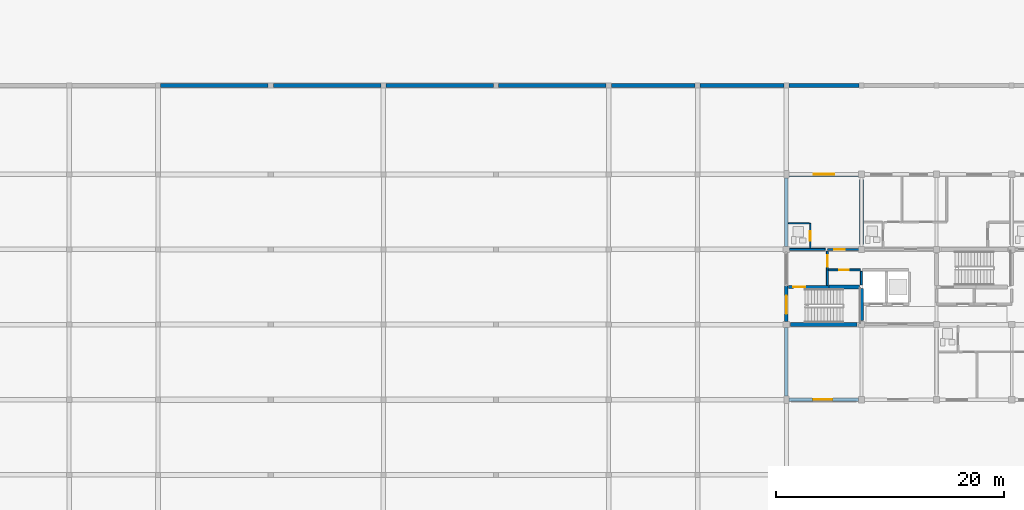
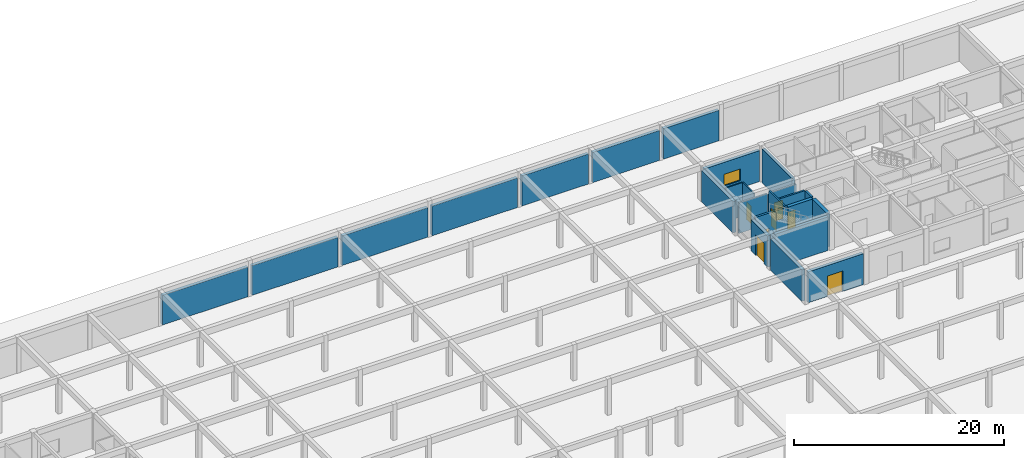
# One storey, part 57 of 75: 24 walls, 7 doors, 1 window, 8 openings.
"""IFC4 building model written with IfcOpenShell, lengths in metres."""

from ifc_helpers import new_model, si_unit, direction, frame, frame_2d, origin, place, context, subcontext, project, spatial, rectangle, extrude, material, layer, layer_set, type_object, element, fill, save


model = new_model("IFC4")

# Units and contexts
model_context = context("Model", 3, precision=1e-05, world=origin(), true_north=direction((0.0, 1.0)))
body_context = subcontext(model_context, "Body", "Model", "MODEL_VIEW")
ifc_project = project(units=[si_unit("LENGTHUNIT", "METRE"), si_unit("AREAUNIT", "SQUARE_METRE"), si_unit("VOLUMEUNIT", "CUBIC_METRE"), si_unit("PLANEANGLEUNIT", "RADIAN"), si_unit("MASSUNIT", "GRAM", prefix="KILO")], contexts=[model_context])

# Site, building, storey
site_placement = place(None, origin())
site = spatial("IfcSite", under=ifc_project, at=site_placement, CompositionType="ELEMENT")
building_placement = place(site_placement, origin())
building = spatial("IfcBuilding", under=site, at=building_placement, Name="Kernevlak Ridge Housing Community", CompositionType="ELEMENT")
storey_placement = place(building_placement, origin())
storey = spatial("IfcBuildingStorey", under=building, at=storey_placement, Name="L00", CompositionType="ELEMENT", Elevation=0.0)

# Wall, opening, door
ifc_material_1 = material(Name="Concrete block masonry M10", Category="masonry")
ifc_layer_1 = layer(ifc_material_1, 0.340087890625, Name="Concrete block masonry M10")
ifc_layer_set_1 = layer_set([ifc_layer_1], Name="Concrete block masonry M10")
wall_type_1 = type_object("IfcWallType", Name="EW-04", PredefinedType="STANDARD", material=ifc_layer_set_1)
wall_1_placement = place(storey_placement, frame((119.625, 82.60009765625, 0.0), z_axis=(0.0, 0.0, 1.0), x_axis=(1.0, 0.0, 0.0)))
wall_1 = element("IfcWall", 1, at=wall_1_placement, inside=storey, type_object=wall_type_1, Name="Exterior wall EW-04 L00 295", PredefinedType="STANDARD", context=body_context, shape_type="SweptSolid", body=[
    extrude(rectangle(XDim=6.10009765625, YDim=0.340087890625, at=frame_2d((3.050048828125, 0.0))), origin(), (0.0, 0.0, 1.0), 3.60009765625),
])
opening_1_placement = place(wall_1_placement, frame((2.125, 0.0, 0.0)))
opening_1 = element("IfcOpeningElement", 2, at=opening_1_placement, cuts=wall_1, Name="Opening D594", PredefinedType="OPENING", context=body_context, shape_type="SweptSolid", body=[
    extrude(rectangle(XDim=1.699951171875, YDim=2.3798828125, at=frame_2d((0.85009765625, 1.18994140625))), frame((0.0, 0.179931640625, 0.0), z_axis=(0.0, -1.0, 0.0), x_axis=(1.0, 0.0, 0.0)), (0.0, 0.0, 1.0), 0.360107421875),
])
ifc_material_2 = material(Name="Aluminium EN AW-6060 and laminated safety glass", Category="aluminium")
door_type_1 = type_object("IfcDoorType", Name="DT-35", OperationType="DOUBLE_DOOR_SINGLE_SWING", PredefinedType="DOOR", material=ifc_material_2)
door_1_placement = place(opening_1_placement, origin())
door_1 = element("IfcDoor", 3, at=door_1_placement, inside=storey, type_object=door_type_1, Name="Block B Main pedestrian entrance exit D594", OperationType="DOUBLE_DOOR_SINGLE_SWING", OverallHeight=2.3798828125, OverallWidth=1.699951171875, PredefinedType="DOOR", context=body_context, shape_type="SweptSolid", body=[
    extrude(rectangle(XDim=1.699951171875, YDim=2.3798828125, at=frame_2d((0.85009765625, 1.18994140625))), frame((0.0, 0.02490234375, 0.0), z_axis=(0.0, -1.0, 0.0), x_axis=(1.0, 0.0, 0.0)), (0.0, 0.0, 1.0), 0.050048828125),
])
fill(opening_1, door_1)

# Wall, opening, window
wall_2_placement = place(storey_placement, frame((119.625, 102.39990234375, 0.0), z_axis=(0.0, 0.0, 1.0), x_axis=(1.0, 0.0, 0.0)))
wall_2 = element("IfcWall", 4, at=wall_2_placement, inside=storey, type_object=wall_type_1, Name="Exterior wall EW-04 L00 300", PredefinedType="STANDARD", context=body_context, shape_type="SweptSolid", body=[
    extrude(rectangle(XDim=6.10009765625, YDim=0.340087890625, at=frame_2d((3.050048828125, 0.0))), origin(), (0.0, 0.0, 1.0), 3.60009765625),
])
opening_2_placement = place(wall_2_placement, frame((2.175048828125, 0.0, 0.85009765625)))
opening_2 = element("IfcOpeningElement", 5, at=opening_2_placement, cuts=wall_2, Name="Opening WT-03", PredefinedType="OPENING", context=body_context, shape_type="SweptSolid", body=[
    extrude(rectangle(XDim=1.800048828125, YDim=1.35009765625, at=frame_2d((0.89990234375, 0.675048828125))), frame((0.0, 0.179931640625, 0.0), z_axis=(0.0, -1.0, 0.0), x_axis=(1.0, 0.0, 0.0)), (0.0, 0.0, 1.0), 0.360107421875),
])
ifc_material_3 = material(Name="Aluminium EN AW-6060 anodised and laminated glass", Category="aluminium")
window_type = type_object("IfcWindowType", Name="WT-03", PartitioningType="SINGLE_PANEL", PredefinedType="WINDOW", material=ifc_material_3)
window_placement = place(opening_2_placement, origin())
window = element("IfcWindow", 6, at=window_placement, inside=storey, type_object=window_type, Name="Window WT-03 L00 230", OverallHeight=1.35009765625, OverallWidth=1.800048828125, PartitioningType="SINGLE_PANEL", PredefinedType="WINDOW", context=body_context, shape_type="SweptSolid", body=[
    extrude(rectangle(XDim=1.800048828125, YDim=1.35009765625, at=frame_2d((0.89990234375, 0.675048828125))), frame((0.0, 0.030029296875, 0.0), z_axis=(0.0, -1.0, 0.0), x_axis=(1.0, 0.0, 0.0)), (0.0, 0.0, 1.0), 0.06005859375),
])
fill(opening_2, window)

# Walls
for number, where, z_axis, x_axis, name in (
    (7, (119.39990234375, 82.925048828125, 0.0), (0.0, 0.0, 1.0), (0.0, 1.0, 0.0), "Exterior wall EW-04 L00 305"),
    (8, (119.39990234375, 96.074951171875, 0.0), (0.0, 0.0, 1.0), (0.0, 1.0, 0.0), "Exterior wall EW-04 L00 306"),
):
    element("IfcWall", number, at=place(storey_placement, frame(where, z_axis=z_axis, x_axis=x_axis)), inside=storey, type_object=wall_type_1, Name=name, PredefinedType="STANDARD", context=body_context, shape_type="SweptSolid", body=[
        extrude(rectangle(XDim=6.0, YDim=0.340087890625, at=frame_2d((3.0, 0.0))), origin(), (0.0, 0.0, 1.0), 3.64990234375),
    ])
for number, where, z_axis, x_axis, name in (
    (9, (64.425048828125, 110.199951171875, 0.0), (0.0, 0.0, 1.0), (1.0, 0.0, 0.0), "Exterior wall EW-04 L00 876"),
    (10, (74.324951171875, 110.199951171875, 0.0), (0.0, 0.0, 1.0), (1.0, 0.0, 0.0), "Exterior wall EW-04 L00 877"),
    (11, (84.22509765625, 110.199951171875, 0.0), (0.0, 0.0, 1.0), (1.0, 0.0, 0.0), "Exterior wall EW-04 L00 878"),
    (12, (94.125, 110.199951171875, 0.0), (0.0, 0.0, 1.0), (1.0, 0.0, 0.0), "Exterior wall EW-04 L00 879"),
):
    element("IfcWall", number, at=place(storey_placement, frame(where, z_axis=z_axis, x_axis=x_axis)), inside=storey, type_object=wall_type_1, Name=name, PredefinedType="STANDARD", context=body_context, shape_type="SweptSolid", body=[
        extrude(rectangle(XDim=9.449951171875, YDim=0.340087890625, at=frame_2d((4.72509765625, 0.0))), origin(), (0.0, 0.0, 1.0), 3.449951171875),
    ])
for number, where, z_axis, x_axis, name in (
    (13, (104.02490234375, 110.199951171875, 0.0), (0.0, 0.0, 1.0), (1.0, 0.0, 0.0), "Exterior wall EW-04 L00 880"),
    (14, (111.824951171875, 110.199951171875, 0.0), (0.0, 0.0, 1.0), (1.0, 0.0, 0.0), "Exterior wall EW-04 L00 881"),
):
    element("IfcWall", number, at=place(storey_placement, frame(where, z_axis=z_axis, x_axis=x_axis)), inside=storey, type_object=wall_type_1, Name=name, PredefinedType="STANDARD", context=body_context, shape_type="SweptSolid", body=[
        extrude(rectangle(XDim=7.35009765625, YDim=0.340087890625, at=frame_2d((3.675048828125, 0.0))), origin(), (0.0, 0.0, 1.0), 3.5),
    ])
wall_3_placement = place(storey_placement, frame((119.625, 110.199951171875, 0.0), z_axis=(0.0, 0.0, 1.0), x_axis=(1.0, 0.0, 0.0)))
element("IfcWall", 15, at=wall_3_placement, inside=storey, type_object=wall_type_1, Name="Exterior wall EW-04 L00 882", PredefinedType="STANDARD", context=body_context, shape_type="SweptSolid", body=[
    extrude(rectangle(XDim=6.14990234375, YDim=0.340087890625, at=frame_2d((3.074951171875, 0.0))), origin(), (0.0, 0.0, 1.0), 3.550048828125),
])

# Wall, opening, door
wall_4_placement = place(storey_placement, frame((119.39990234375, 89.47509765625, 0.0), z_axis=(0.0, 0.0, 1.0), x_axis=(0.0, 1.0, 0.0)))
wall_4 = element("IfcWall", 16, at=wall_4_placement, inside=storey, type_object=wall_type_1, Name="Exterior wall EW-04 L00 930", PredefinedType="STANDARD", context=body_context, shape_type="SweptSolid", body=[
    extrude(rectangle(XDim=3.135009765625, YDim=0.340087890625, at=frame_2d((1.5673828125, 0.0))), origin(), (0.0, 0.0, 1.0), 3.64990234375),
])
opening_3_placement = place(wall_4_placement, frame((0.675048828125, 0.0, 0.0)))
opening_3 = element("IfcOpeningElement", 17, at=opening_3_placement, cuts=wall_4, Name="Opening E829", PredefinedType="OPENING", context=body_context, shape_type="SweptSolid", body=[
    extrude(rectangle(XDim=1.60009765625, YDim=2.39990234375, at=frame_2d((0.800048828125, 1.199951171875))), frame((0.0, 0.179931640625, 0.0), z_axis=(0.0, -1.0, 0.0), x_axis=(1.0, 0.0, 0.0)), (0.0, 0.0, 1.0), 0.360107421875),
])
door_type_2 = type_object("IfcDoorType", Name="DT-13", OperationType="DOUBLE_DOOR_SINGLE_SWING", PredefinedType="DOOR", material=ifc_material_2)
door_2_placement = place(opening_3_placement, origin())
door_2 = element("IfcDoor", 18, at=door_2_placement, inside=storey, type_object=door_type_2, Name="Block B Stair 1 exit discharge door E829", OperationType="DOUBLE_DOOR_SINGLE_SWING", OverallHeight=2.39990234375, OverallWidth=1.60009765625, PredefinedType="DOOR", context=body_context, shape_type="SweptSolid", body=[
    extrude(rectangle(XDim=1.60009765625, YDim=2.39990234375, at=frame_2d((0.800048828125, 1.199951171875))), frame((0.0, 0.02490234375, 0.0), z_axis=(0.0, -1.0, 0.0), x_axis=(1.0, 0.0, 0.0)), (0.0, 0.0, 1.0), 0.050048828125),
])
fill(opening_3, door_2)

ifc_material_4 = material(Name="Concrete C35/45", Category="concrete")
ifc_layer_2 = layer(ifc_material_4, 0.22509765625, Name="Concrete C35/45")
ifc_layer_set_2 = layer_set([ifc_layer_2], Name="Concrete C35/45")
wall_type_2 = type_object("IfcWallType", Name="PW-01", PredefinedType="STANDARD", material=ifc_layer_set_2)
wall_5_placement = place(storey_placement, frame((119.580078125, 92.5, 0.0), z_axis=(0.0, 0.0, 1.0), x_axis=(1.0, 0.0, 0.0)))
wall_5 = element("IfcWall", 19, at=wall_5_placement, inside=storey, type_object=wall_type_2, Name="Interior wall PW-01 WAL-INT-L00-1157", PredefinedType="STANDARD", context=body_context, shape_type="SweptSolid", body=[
    extrude(rectangle(XDim=3.56982421875, YDim=0.22509765625, at=frame_2d((1.784912109375, 0.0))), origin(), (0.0, 0.0, 1.0), 3.919921875),
])
opening_4_placement = place(wall_5_placement, frame((0.449951171875, 0.0, 0.0)))
opening_4 = element("IfcOpeningElement", 20, at=opening_4_placement, cuts=wall_5, Name="Opening D585", PredefinedType="OPENING", context=body_context, shape_type="SweptSolid", body=[
    extrude(rectangle(XDim=1.0400390625, YDim=2.1201171875, at=frame_2d((0.52001953125, 1.06005859375))), frame((0.0, 0.12255859375, 0.0), z_axis=(0.0, -1.0, 0.0), x_axis=(1.0, 0.0, 0.0)), (0.0, 0.0, 1.0), 0.2451171875),
])
ifc_material_5 = material(Name="Fire-rated sheet steel leaf", Category="steel")
door_type_3 = type_object("IfcDoorType", Name="DT-16", OperationType="NOTDEFINED", PredefinedType="DOOR", material=ifc_material_5)
door_3_placement = place(opening_4_placement, origin())
door_3 = element("IfcDoor", 21, at=door_3_placement, inside=storey, type_object=door_type_3, Name="Block B Stair 1 fire door D585", OperationType="SINGLE_SWING_LEFT", OverallHeight=2.1201171875, OverallWidth=1.0400390625, PredefinedType="DOOR", context=body_context, shape_type="SweptSolid", body=[
    extrude(rectangle(XDim=1.0400390625, YDim=2.1201171875, at=frame_2d((0.52001953125, 1.06005859375))), frame((0.0, 0.02490234375, 0.0), z_axis=(0.0, -1.0, 0.0), x_axis=(1.0, 0.0, 0.0)), (0.0, 0.0, 1.0), 0.050048828125),
])
fill(opening_4, door_3)

ifc_layer_3 = layer(ifc_material_1, 0.175048828125, Name="Concrete block masonry M10")
ifc_layer_set_3 = layer_set([ifc_layer_3], Name="Concrete block masonry M10")
wall_type_3 = type_object("IfcWallType", Name="PW-02", PredefinedType="PARTITIONING", material=ifc_layer_set_3)
wall_6_placement = place(storey_placement, frame((123.0, 92.64990234375, 0.0), z_axis=(0.0, 0.0, 1.0), x_axis=(0.0, 1.0, 0.0)))
wall_6 = element("IfcWall", 22, at=wall_6_placement, inside=storey, type_object=wall_type_3, Name="Interior wall PW-02 WAL-INT-L00-1158", PredefinedType="PARTITIONING", context=body_context, shape_type="SweptSolid", body=[
    extrude(rectangle(XDim=3.0, YDim=0.175048828125, at=frame_2d((1.5, 0.0))), origin(), (0.0, 0.0, 1.0), 3.919921875),
])
opening_5_placement = place(wall_6_placement, frame((1.64990234375, 0.0, 0.0)))
opening_5 = element("IfcOpeningElement", 23, at=opening_5_placement, cuts=wall_6, Name="Opening D586", PredefinedType="OPENING", context=body_context, shape_type="SweptSolid", body=[
    extrude(rectangle(XDim=1.0, YDim=2.10009765625, at=frame_2d((0.5, 1.050048828125))), frame((0.0, 0.097412109375, 0.0), z_axis=(0.0, -1.0, 0.0), x_axis=(1.0, 0.0, 0.0)), (0.0, 0.0, 1.0), 0.195068359375),
])
door_type_4 = type_object("IfcDoorType", Name="DT-05", OperationType="NOTDEFINED", PredefinedType="DOOR", material=ifc_material_5)
door_4_placement = place(opening_5_placement, origin())
door_4 = element("IfcDoor", 24, at=door_4_placement, inside=storey, type_object=door_type_4, Name="Block B Firefighting lobby 1 door D586", OperationType="SINGLE_SWING_RIGHT", OverallHeight=2.10009765625, OverallWidth=1.0, PredefinedType="DOOR", context=body_context, shape_type="SweptSolid", body=[
    extrude(rectangle(XDim=1.0, YDim=2.10009765625, at=frame_2d((0.5, 1.050048828125))), frame((0.0, 0.02490234375, 0.0), z_axis=(0.0, -1.0, 0.0), x_axis=(1.0, 0.0, 0.0)), (0.0, 0.0, 1.0), 0.050048828125),
])
fill(opening_5, door_4)

wall_7_placement = place(storey_placement, frame((123.10009765625, 94.0, 0.0), z_axis=(0.0, 0.0, 1.0), x_axis=(1.0, 0.0, 0.0)))
wall_7 = element("IfcWall", 25, at=wall_7_placement, inside=storey, type_object=wall_type_3, Name="Interior wall PW-02 WAL-INT-L00-1159", PredefinedType="PARTITIONING", context=body_context, shape_type="SweptSolid", body=[
    extrude(rectangle(XDim=2.7998046875, YDim=0.175048828125, at=frame_2d((1.39990234375, 0.0))), origin(), (0.0, 0.0, 1.0), 3.919921875),
])
opening_6_placement = place(wall_7_placement, frame((0.949951171875, 0.0, 0.0)))
opening_6 = element("IfcOpeningElement", 26, at=opening_6_placement, cuts=wall_7, Name="Opening D587", PredefinedType="OPENING", context=body_context, shape_type="SweptSolid", body=[
    extrude(rectangle(XDim=0.85009765625, YDim=2.0, at=frame_2d((0.425048828125, 1.0))), frame((0.0, 0.097412109375, 0.0), z_axis=(0.0, -1.0, 0.0), x_axis=(1.0, 0.0, 0.0)), (0.0, 0.0, 1.0), 0.195068359375),
])
door_type_5 = type_object("IfcDoorType", Name="DT-07", OperationType="NOTDEFINED", PredefinedType="DOOR", material=ifc_material_5)
door_5_placement = place(opening_6_placement, origin())
door_5 = element("IfcDoor", 27, at=door_5_placement, inside=storey, type_object=door_type_5, Name="Block B Riser shaft door D587", OperationType="SINGLE_SWING_LEFT", OverallHeight=2.0, OverallWidth=0.85009765625, PredefinedType="DOOR", context=body_context, shape_type="SweptSolid", body=[
    extrude(rectangle(XDim=0.85009765625, YDim=2.0, at=frame_2d((0.425048828125, 1.0))), frame((0.0, 0.02490234375, 0.0), z_axis=(0.0, -1.0, 0.0), x_axis=(1.0, 0.0, 0.0)), (0.0, 0.0, 1.0), 0.050048828125),
])
fill(opening_6, door_5)

# Walls
wall_8_placement = place(storey_placement, frame((126.0, 92.679931640625, 0.0), z_axis=(0.0, 0.0, 1.0), x_axis=(0.0, 1.0, 0.0)))
element("IfcWall", 28, at=wall_8_placement, inside=storey, type_object=wall_type_3, Name="Interior wall PW-02 WAL-INT-L00-1160", PredefinedType="PARTITIONING", context=body_context, shape_type="SweptSolid", body=[
    extrude(rectangle(XDim=1.190185546875, YDim=0.175048828125, at=frame_2d((0.59521484375, 0.0))), origin(), (0.0, 0.0, 1.0), 3.919921875),
])
wall_9_placement = place(storey_placement, frame((119.679931640625, 95.800048828125, 0.0), z_axis=(0.0, 0.0, 1.0), x_axis=(1.0, 0.0, 0.0)))
element("IfcWall", 29, at=wall_9_placement, inside=storey, type_object=wall_type_3, Name="Interior wall PW-02 WAL-INT-L00-1188", PredefinedType="PARTITIONING", context=body_context, shape_type="SweptSolid", body=[
    extrude(rectangle(XDim=3.14013671875, YDim=0.175048828125, at=frame_2d((1.570068359375, 0.0))), origin(), (0.0, 0.0, 1.0), 3.550048828125),
])

# Wall, opening, door
wall_10_placement = place(storey_placement, frame((123.0, 95.800048828125, 0.0), z_axis=(0.0, 0.0, 1.0), x_axis=(1.0, 0.0, 0.0)))
wall_10 = element("IfcWall", 30, at=wall_10_placement, inside=storey, type_object=wall_type_3, Name="Interior wall PW-02 WAL-INT-L00-1189", PredefinedType="PARTITIONING", context=body_context, shape_type="SweptSolid", body=[
    extrude(rectangle(XDim=3.0, YDim=0.175048828125, at=frame_2d((1.5, 0.0))), origin(), (0.0, 0.0, 1.0), 3.550048828125),
])
opening_7_placement = place(wall_10_placement, frame((0.60009765625, 0.0, 0.0)))
opening_7 = element("IfcOpeningElement", 31, at=opening_7_placement, cuts=wall_10, Name="Opening D601", PredefinedType="OPENING", context=body_context, shape_type="SweptSolid", body=[
    extrude(rectangle(XDim=0.949951171875, YDim=2.159912109375, at=frame_2d((0.47509765625, 1.080078125))), frame((0.0, 0.097412109375, 0.0), z_axis=(0.0, -1.0, 0.0), x_axis=(1.0, 0.0, 0.0)), (0.0, 0.0, 1.0), 0.195068359375),
])
ifc_material_6 = material(Name="Hardwood timber solid-core fire leaf", Category="wood")
door_type_6 = type_object("IfcDoorType", Name="DT-02", OperationType="NOTDEFINED", PredefinedType="DOOR", material=ifc_material_6)
door_6_placement = place(opening_7_placement, origin())
door_6 = element("IfcDoor", 32, at=door_6_placement, inside=storey, type_object=door_type_6, Name="Flat B0021 entrance fire door D601", OperationType="SINGLE_SWING_LEFT", OverallHeight=2.159912109375, OverallWidth=0.949951171875, PredefinedType="DOOR", context=body_context, shape_type="SweptSolid", body=[
    extrude(rectangle(XDim=0.949951171875, YDim=2.159912109375, at=frame_2d((0.47509765625, 1.080078125))), frame((0.0, 0.02490234375, 0.0), z_axis=(0.0, -1.0, 0.0), x_axis=(1.0, 0.0, 0.0)), (0.0, 0.0, 1.0), 0.050048828125),
])
fill(opening_7, door_6)

ifc_material_7 = material(Name="Gypsum plasterboard EN 520", Category="gypsum")
ifc_layer_4 = layer(ifc_material_7, 0.125, Name="Gypsum plasterboard EN 520")
ifc_layer_set_4 = layer_set([ifc_layer_4], Name="Gypsum plasterboard EN 520")
wall_type_4 = type_object("IfcWallType", Name="PW-04", PredefinedType="PARTITIONING", material=ifc_layer_set_4)
wall_11_placement = place(storey_placement, frame((121.5, 95.8974609375, 0.0), z_axis=(0.0, 0.0, 1.0), x_axis=(0.0, 1.0, 0.0)))
wall_11 = element("IfcWall", 33, at=wall_11_placement, inside=storey, type_object=wall_type_4, Name="Interior wall PW-04 WAL-INT-L00-1190", PredefinedType="PARTITIONING", context=body_context, shape_type="SweptSolid", body=[
    extrude(rectangle(XDim=2.20263671875, YDim=0.125, at=frame_2d((1.101318359375, 0.0))), origin(), (0.0, 0.0, 1.0), 3.919921875),
])
opening_8_placement = place(wall_11_placement, frame((0.64990234375, 0.0, 0.0)))
opening_8 = element("IfcOpeningElement", 34, at=opening_8_placement, cuts=wall_11, Name="Opening D602", PredefinedType="OPENING", context=body_context, shape_type="SweptSolid", body=[
    extrude(rectangle(XDim=0.840087890625, YDim=2.06005859375, at=frame_2d((0.419921875, 1.030029296875))), frame((0.0, 0.072509765625, 0.0), z_axis=(0.0, -1.0, 0.0), x_axis=(1.0, 0.0, 0.0)), (0.0, 0.0, 1.0), 0.14501953125),
])
ifc_material_8 = material(Name="Hardwood timber moisture-resistant leaf", Category="wood")
door_type_7 = type_object("IfcDoorType", Name="DT-27", OperationType="NOTDEFINED", PredefinedType="DOOR", material=ifc_material_8)
door_7_placement = place(opening_8_placement, origin())
door_7 = element("IfcDoor", 35, at=door_7_placement, inside=storey, type_object=door_type_7, Name="Flat B0021 bathroom door D602", OperationType="SINGLE_SWING_RIGHT", OverallHeight=2.06005859375, OverallWidth=0.840087890625, PredefinedType="DOOR", context=body_context, shape_type="SweptSolid", body=[
    extrude(rectangle(XDim=0.840087890625, YDim=2.06005859375, at=frame_2d((0.419921875, 1.030029296875))), frame((0.0, 0.02490234375, 0.0), z_axis=(0.0, -1.0, 0.0), x_axis=(1.0, 0.0, 0.0)), (0.0, 0.0, 1.0), 0.050048828125),
])
fill(opening_8, door_7)

# Walls
wall_12_placement = place(storey_placement, frame((119.580078125, 98.10009765625, 0.0), z_axis=(0.0, 0.0, 1.0), x_axis=(1.0, 0.0, 0.0)))
element("IfcWall", 36, at=wall_12_placement, inside=storey, type_object=wall_type_4, Name="Interior wall PW-04 WAL-INT-L00-1191", PredefinedType="PARTITIONING", context=body_context, shape_type="SweptSolid", body=[
    extrude(rectangle(XDim=1.83984375, YDim=0.125, at=frame_2d((0.919921875, 0.0))), origin(), (0.0, 0.0, 1.0), 3.919921875),
])
ifc_material_9 = material(Name="Concrete C40/50", Category="concrete")
ifc_layer_5 = layer(ifc_material_9, 0.35009765625, Name="Concrete C40/50")
ifc_layer_set_5 = layer_set([ifc_layer_5], Name="Concrete C40/50")
wall_type_5 = type_object("IfcWallType", Name="SW-01", PredefinedType="SHEAR", material=ifc_layer_set_5)
wall_13_placement = place(storey_placement, frame((119.780029296875, 89.199951171875, 0.0), z_axis=(0.0, 0.0, 1.0), x_axis=(1.0, 0.0, 0.0)))
element("IfcWall", 37, at=wall_13_placement, inside=storey, type_object=wall_type_5, Name="Shear wall SW-01 Block B L00 211", PredefinedType="SHEAR", context=body_context, shape_type="SweptSolid", body=[
    extrude(rectangle(XDim=5.840087890625, YDim=0.35009765625, at=frame_2d((2.919921875, 0.0))), origin(), (0.0, 0.0, 1.0), 3.919921875),
])
wall_14_placement = place(storey_placement, frame((123.14990234375, 92.5, 0.0), z_axis=(0.0, 0.0, 1.0), x_axis=(1.0, 0.0, 0.0)))
element("IfcWall", 38, at=wall_14_placement, inside=storey, type_object=wall_type_5, Name="Shear wall SW-01 Block B L00 212", PredefinedType="SHEAR", context=body_context, shape_type="SweptSolid", body=[
    extrude(rectangle(XDim=2.7001953125, YDim=0.35009765625, at=frame_2d((1.35009765625, 0.0))), origin(), (0.0, 0.0, 1.0), 3.919921875),
])
wall_15_placement = place(storey_placement, frame((126.0, 89.550048828125, 0.0), z_axis=(0.0, 0.0, 1.0), x_axis=(0.0, 1.0, 0.0)))
element("IfcWall", 39, at=wall_15_placement, inside=storey, type_object=wall_type_5, Name="Shear wall SW-01 Block B L00 213", PredefinedType="SHEAR", context=body_context, shape_type="SweptSolid", body=[
    extrude(rectangle(XDim=2.800048828125, YDim=0.35009765625, at=frame_2d((1.39990234375, 0.0))), origin(), (0.0, 0.0, 1.0), 3.919921875),
])
wall_16_placement = place(storey_placement, frame((126.0, 96.25, 0.0), z_axis=(0.0, 0.0, 1.0), x_axis=(0.0, 1.0, 0.0)))
element("IfcWall", 40, at=wall_16_placement, inside=storey, type_object=wall_type_5, Name="Shear wall SW-01 Block B L00 219", PredefinedType="SHEAR", context=body_context, shape_type="SweptSolid", body=[
    extrude(rectangle(XDim=5.699951171875, YDim=0.35009765625, at=frame_2d((2.85009765625, 0.0))), origin(), (0.0, 0.0, 1.0), 3.919921875),
])

save(model, "model.ifc")
